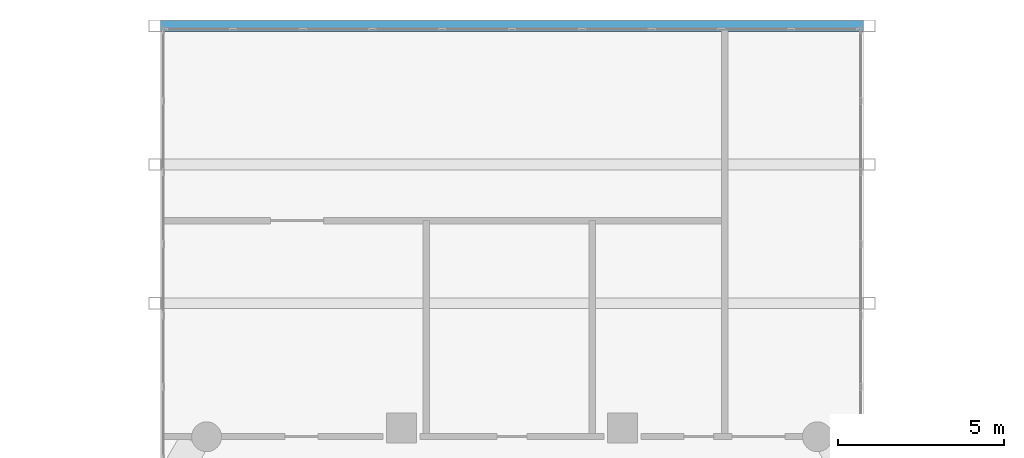
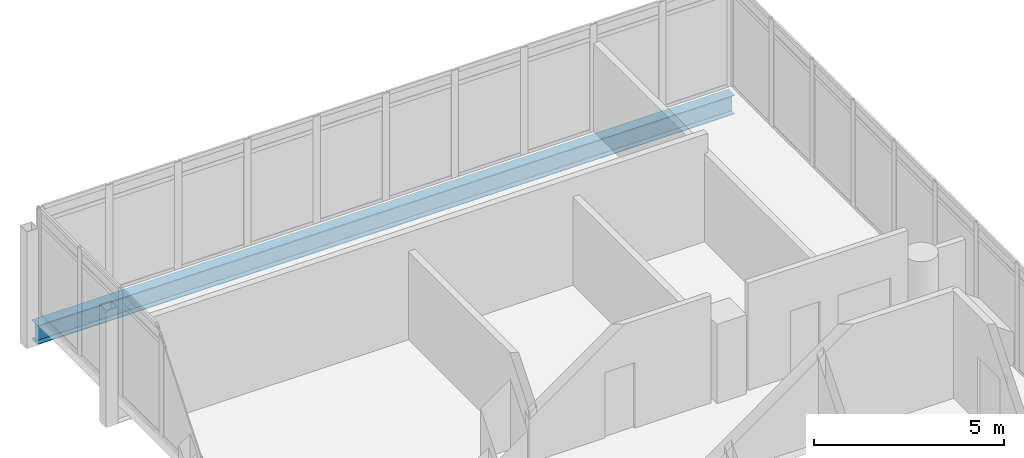
# One storey, part 16 of 25: 1 beam.
"""IFC4 building model written with IfcOpenShell, lengths in metres."""

import ifcopenshell
import ifcopenshell.guid

model = None  # the IFC model being written
_history = None  # IfcOwnerHistory: only IFC2X3 demands one
_inside = {}  # id of a spatial element -> (the spatial element, [elements in it])
_under = {}  # id of a project, library or spatial element -> (it, [spatial elements below it])
_declared = {}  # id of a project -> (the project, [libraries it declares])
_typed = {}  # id of a type object -> (the type object, [elements of that type])
_made_of = {}  # id of a material, layer set ... -> (it, [elements and type objects made of it])


def new_model(schema):
    """Start an empty IFC model of exactly this schema.

    Asked for "IFC4X3", IfcOpenShell would pick the latest addendum, in which some entities
    have other attributes; the version numbers below select the first issue.
    IFC2X3 requires an IfcOwnerHistory on every rooted entity: one is made here for all.
    """
    global model, _history
    if schema == "IFC4X3":
        model = ifcopenshell.file(schema_version=(4, 3, 0, 0))
    else:
        model = ifcopenshell.file(schema=schema)
    _inside.clear()
    _under.clear()
    _declared.clear()
    _typed.clear()
    _made_of.clear()
    _history = None
    if model.schema == "IFC2X3":
        org = make("IfcOrganization", Name="unknown")
        user = make(
            "IfcPersonAndOrganization",
            ThePerson=make("IfcPerson", FamilyName="unknown"),
            TheOrganization=org,
        )
        app = make(
            "IfcApplication",
            ApplicationDeveloper=org,
            Version="unknown",
            ApplicationFullName="unknown",
            ApplicationIdentifier="unknown",
        )
        _history = make(
            "IfcOwnerHistory",
            OwningUser=user,
            OwningApplication=app,
            ChangeAction="ADDED",
            CreationDate=0,
        )
    return model


def make(cls, **values):
    """One entity of the class cls with the attributes given. An attribute that is None is left unset."""
    return model.create_entity(
        cls, **{name: value for name, value in values.items() if value is not None}
    )


def rooted(cls, **values):
    """An entity with a GlobalId (a new one), such as an element, a storey or a relation."""
    return make(cls, GlobalId=ifcopenshell.guid.new(), OwnerHistory=_history, **values)


def si_unit(unit_type, name, prefix=None):
    """IfcSIUnit, for example si_unit("LENGTHUNIT", "METRE", prefix="MILLI")."""
    return make("IfcSIUnit", UnitType=unit_type, Prefix=prefix, Name=name)


def assignment(units):
    """IfcUnitAssignment: the units of a project."""
    return None if units is None else make("IfcUnitAssignment", Units=units)


def point(xyz):
    """IfcCartesianPoint."""
    return None if xyz is None else make("IfcCartesianPoint", Coordinates=xyz)


def direction(xyz):
    """IfcDirection."""
    return None if xyz is None else make("IfcDirection", DirectionRatios=xyz)


def frame(location, z_axis=None, x_axis=None):
    """IfcAxis2Placement3D, a coordinate frame: its origin and axes. An axis left out is left unset."""
    return make(
        "IfcAxis2Placement3D",
        Location=point(location),
        Axis=direction(z_axis),
        RefDirection=direction(x_axis),
    )


def frame_2d(location, x_axis=None):
    """IfcAxis2Placement2D, a coordinate frame in the plane: its origin and x axis."""
    return make(
        "IfcAxis2Placement2D", Location=point(location), RefDirection=direction(x_axis)
    )


def origin():
    """The frame at (0, 0, 0) with its axes left unset."""
    return frame((0.0, 0.0, 0.0))


def origin_2d():
    """The frame at (0, 0) in the plane with its x axis left unset."""
    return frame_2d((0.0, 0.0))


def place(relative_to, where):
    """IfcLocalPlacement: puts the frame where relative to a parent placement (None: the world)."""
    return make(
        "IfcLocalPlacement", PlacementRelTo=relative_to, RelativePlacement=where
    )


def context(
    kind, dimensions, precision=None, world=None, true_north=None, identifier=None
):
    """IfcGeometricRepresentationContext, for example the 3D "Model" context."""
    return make(
        "IfcGeometricRepresentationContext",
        ContextIdentifier=identifier,
        ContextType=kind,
        CoordinateSpaceDimension=dimensions,
        Precision=precision,
        WorldCoordinateSystem=world,
        TrueNorth=true_north,
    )


def subcontext(parent, identifier, kind, view, scale=None):
    """IfcGeometricRepresentationSubContext, for example "Body" below "Model"."""
    return make(
        "IfcGeometricRepresentationSubContext",
        ContextIdentifier=identifier,
        ContextType=kind,
        ParentContext=parent,
        TargetScale=scale,
        TargetView=view,
    )


def project(units=None, contexts=None):
    """IfcProject with its units and contexts."""
    return rooted(
        "IfcProject",
        Name="project",
        RepresentationContexts=contexts,
        UnitsInContext=assignment(units),
    )


def spatial(cls, under=None, at=None, **own):
    """A site, building, storey or space (cls), placed at a placement, below another one or the project."""
    s = rooted(cls, ObjectPlacement=at, **own)
    if under is not None:
        _under.setdefault(under.id(), (under, []))[1].append(s)
    return s


def profile(cls, at=None, kind="AREA", **sizes):
    """A parametric profile (cls). Its sizes go by their IFC names, for example OverallWidth=200.0."""
    return make(cls, ProfileType=kind, Position=at, **sizes)


def i_section(**sizes):
    """IfcIShapeProfileDef."""
    return profile("IfcIShapeProfileDef", **sizes)


def extrude(swept, where, along, depth):
    """IfcExtrudedAreaSolid: the profile swept, set in the frame where, extruded along a direction by depth."""
    return make(
        "IfcExtrudedAreaSolid",
        SweptArea=swept,
        Position=where,
        ExtrudedDirection=direction(along),
        Depth=depth,
    )


def shape(context_of_items, identifier, shape_type, items):
    """IfcShapeRepresentation: the items that make up one representation, for example the "Body"."""
    return make(
        "IfcShapeRepresentation",
        ContextOfItems=context_of_items,
        RepresentationIdentifier=identifier,
        RepresentationType=shape_type,
        Items=items,
    )


def material(Name=None, Category=None):
    """IfcMaterial."""
    return make("IfcMaterial", Name=Name, Category=Category)


def material_profile(
    of_material, cross_section, Name=None, Category=None, Priority=None
):
    """IfcMaterialProfile: a cross section and its material."""
    return make(
        "IfcMaterialProfile",
        Name=Name,
        Material=of_material,
        Profile=cross_section,
        Priority=Priority,
        Category=Category,
    )


def profile_set(profiles, Name=None, composite=None):
    """IfcMaterialProfileSet."""
    return make(
        "IfcMaterialProfileSet",
        Name=Name,
        MaterialProfiles=profiles,
        CompositeProfile=composite,
    )


def made_of(thing, what):
    """Note that an element or type object is made of a material, layer set ...; save() writes the relation."""
    if what is not None:
        _made_of.setdefault(what.id(), (what, []))[1].append(thing)
    return thing


def type_object(cls, material=None, **own):
    """A type object (cls), such as IfcWallType, which elements share."""
    return made_of(rooted(cls, **own), material)


def element(
    cls,
    number,
    at=None,
    inside=None,
    cuts=None,
    type_object=None,
    material=None,
    context=None,
    identifier="Body",
    shape_type=None,
    held_by="IfcProductDefinitionShape",
    body=None,
    shapes=None,
    **own,
):
    """One element of the class cls, such as IfcWall. Its Tag is "e" and its number.

    at: its placement. inside: the storey or other place that contains it. cuts: it is an
    opening in that element (IfcRelVoidsElement). A single representation is given by context,
    identifier, shape_type and body (its items); several are given by shapes. held_by: the class
    of the entity that holds the representations. save() writes the other relations.
    """
    e = rooted(cls, Tag="e%d" % number, ObjectPlacement=at, **own)
    if body is not None:
        shapes = [shape(context, identifier, shape_type, body)]
    if shapes is not None:
        e.Representation = make(held_by, Representations=shapes)
    if inside is not None:
        _inside.setdefault(inside.id(), (inside, []))[1].append(e)
    if cuts is not None:
        rooted(
            "IfcRelVoidsElement", RelatingBuildingElement=cuts, RelatedOpeningElement=e
        )
    if type_object is not None:
        _typed.setdefault(type_object.id(), (type_object, []))[1].append(e)
    return made_of(e, material)


def aggregate(whole, parts):
    """IfcRelAggregates: a whole, such as a stair, and the parts it consists of."""
    return rooted("IfcRelAggregates", RelatingObject=whole, RelatedObjects=parts)


def save(model, path):
    """Write the relations noted so far, then the file.

    IfcRelAggregates (storeys below a building ...), IfcRelContainedInSpatialStructure (elements
    in a storey), IfcRelDefinesByType, IfcRelAssociatesMaterial and IfcRelDeclares: one each for
    every whole, place, type object, material and project.
    """
    for whole, parts in _under.values():
        aggregate(whole, parts)
    for where, things in _inside.values():
        rooted(
            "IfcRelContainedInSpatialStructure",
            RelatedElements=things,
            RelatingStructure=where,
        )
    for kind, things in _typed.values():
        rooted("IfcRelDefinesByType", RelatedObjects=things, RelatingType=kind)
    for what, things in _made_of.values():
        rooted("IfcRelAssociatesMaterial", RelatedObjects=things, RelatingMaterial=what)
    for by, libraries in _declared.values():
        rooted("IfcRelDeclares", RelatingContext=by, RelatedDefinitions=libraries)
    model.write(path)


model = new_model("IFC4")

# Units and contexts
model_context = context("Model", 3, precision=1e-05, world=origin(), true_north=direction((0.0, 1.0)))
body_context = subcontext(model_context, "Body", "Model", "MODEL_VIEW")
ifc_project = project(units=[si_unit("LENGTHUNIT", "METRE"), si_unit("AREAUNIT", "SQUARE_METRE"), si_unit("VOLUMEUNIT", "CUBIC_METRE"), si_unit("PLANEANGLEUNIT", "RADIAN"), si_unit("MASSUNIT", "GRAM", prefix="KILO")], contexts=[model_context])

# Site, building, storey
site_placement = place(None, origin())
site = spatial("IfcSite", under=ifc_project, at=site_placement, CompositionType="ELEMENT")
building_placement = place(site_placement, origin())
building = spatial("IfcBuilding", under=site, at=building_placement, Name="Ostrander Bayou Hotel Tower", CompositionType="ELEMENT")
storey_placement = place(building_placement, frame((0.0, 0.0, 229.5)))
storey = spatial("IfcBuildingStorey", under=building, at=storey_placement, Name="L57", CompositionType="ELEMENT", Elevation=229.5)

# Beam
ifc_material = material(Name="Steel ASTM A992", Category="steel")
ifc_material_profile = material_profile(ifc_material, i_section(OverallWidth=0.32373046875, OverallDepth=0.611083984375, WebThickness=0.0126953125, FlangeThickness=0.01904296875, at=origin_2d()))
ifc_profile_set = profile_set([ifc_material_profile], Name="Steel ASTM A992")
beam_type = type_object("IfcBeamType", Name="TF2 bar floor beam W24x104", PredefinedType="BEAM", material=ifc_profile_set)
beam_placement = place(storey_placement, frame((-10.587158203125, 28.966552734375, -0.605712890625), z_axis=(1.0, 0.0, 0.0), x_axis=(0.0, 1.0, 0.0)))
element("IfcBeam", 1, at=beam_placement, inside=storey, type_object=beam_type, Name="TF2 SB5W L3-1", PredefinedType="BEAM", context=body_context, shape_type="SweptSolid", body=[
    extrude(i_section(OverallWidth=0.32373046875, OverallDepth=0.611083984375, WebThickness=0.0126953125, FlangeThickness=0.01904296875, at=origin_2d()), origin(), (0.0, 0.0, 1.0), 21.17431640625),
])

save(model, "model.ifc")
